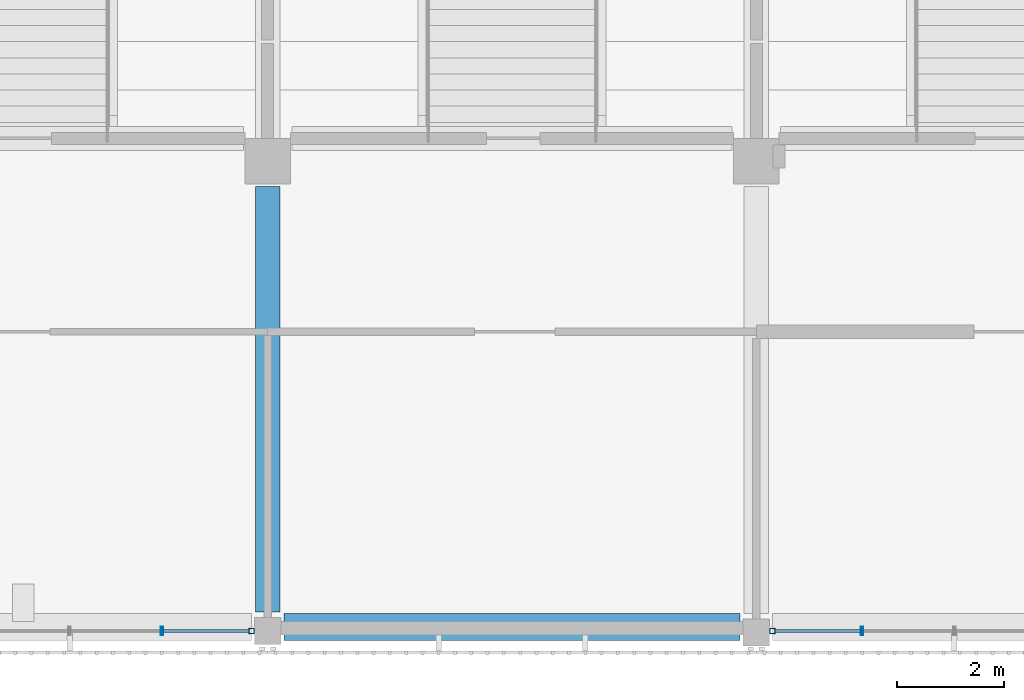
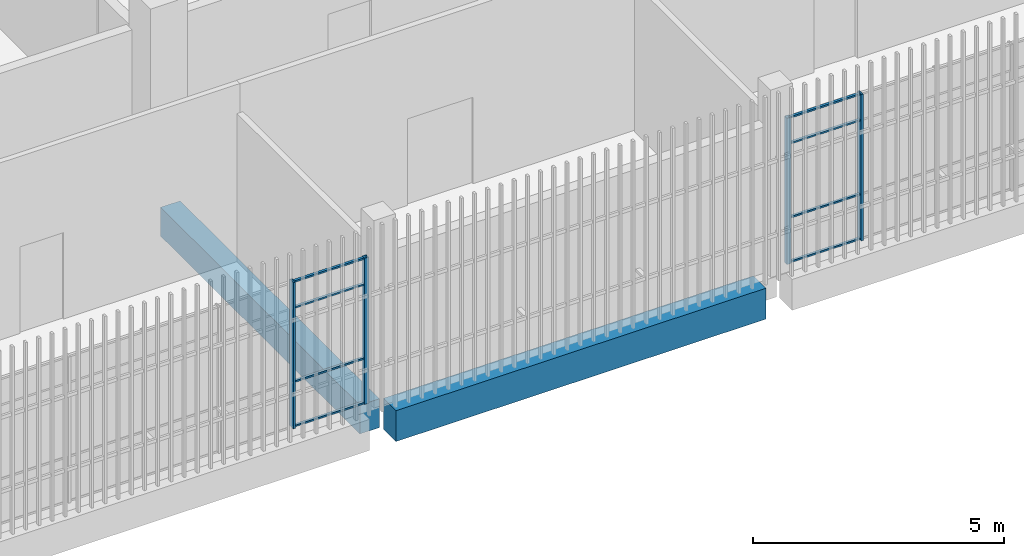
# One storey, part 25 of 139: 12 members, 2 beams, 2 elements without a shape of their own.
"""IFC4 building model written with IfcOpenShell, lengths in metres."""

from ifc_helpers import new_model, si_unit, direction, frame, origin, origin_2d, place, context, subcontext, project, spatial, rectangle, hollow_rectangle, extrude, material, layer, layer_set, material_profile, profile_set, type_object, element, aggregate, save


model = new_model("IFC4")

# Units and contexts
model_context = context("Model", 3, precision=1e-05, world=origin(), true_north=direction((0.0, 1.0)))
body_context = subcontext(model_context, "Body", "Model", "MODEL_VIEW")
ifc_project = project(units=[si_unit("LENGTHUNIT", "METRE"), si_unit("AREAUNIT", "SQUARE_METRE"), si_unit("VOLUMEUNIT", "CUBIC_METRE"), si_unit("PLANEANGLEUNIT", "RADIAN"), si_unit("MASSUNIT", "GRAM", prefix="KILO")], contexts=[model_context])

# Site, building, storey
site_placement = place(None, origin())
site = spatial("IfcSite", under=ifc_project, at=site_placement, CompositionType="ELEMENT")
building_placement = place(site_placement, origin())
building = spatial("IfcBuilding", under=site, at=building_placement, Name="Shirokan Park Arena", CompositionType="ELEMENT")
storey_placement = place(building_placement, frame((0.0, 0.0, 15.469970703125)))
storey = spatial("IfcBuildingStorey", under=building, at=storey_placement, Name="L03", CompositionType="ELEMENT", Elevation=15.469970703125)

# Curtain wall, member
ifc_material_1 = material(Name="Steel and glass curtain wall", Category="steel")
ifc_layer = layer(ifc_material_1, 0.14990234375)
ifc_layer_set = layer_set([ifc_layer], Name="Steel and glass curtain wall 150 mm")
curtain_wall_type = type_object("IfcCurtainWallType", Name="Curtain wall exposed bay 150", PredefinedType="NOTDEFINED", material=ifc_layer_set)
curtain_wall_1_placement = place(storey_placement, origin())
curtain_wall_1 = element("IfcCurtainWall", 1, at=curtain_wall_1_placement, inside=storey, type_object=curtain_wall_type, Name="Curtain wall south bay 9 L03", PredefinedType="NOTDEFINED")
ifc_material_2 = material(Name="Steel S355", Category="steel")
ifc_material_profile_1 = material_profile(ifc_material_2, hollow_rectangle(XDim=0.10009765625, YDim=0.10009765625, WallThickness=0.006103515625, at=origin_2d()), Name="RHS 100x100x6")
ifc_profile_set_1 = profile_set([ifc_material_profile_1], Name="Steel S355")
member_type_1 = type_object("IfcMemberType", Name="Mullion RHS 100x100x6", PredefinedType="MULLION", material=ifc_profile_set_1)
member_1_placement = place(storey_placement, frame((81.60009765625, -0.074951171875, 0.0), z_axis=(0.0, 0.0, 1.0), x_axis=(0.0, 1.0, 0.0)))
member_1 = element("IfcMember", 2, at=member_1_placement, type_object=member_type_1, Name="CW1 mullion 6", PredefinedType="MULLION", context=body_context, shape_type="SweptSolid", body=[
    extrude(hollow_rectangle(XDim=0.10009765625, YDim=0.10009765625, WallThickness=0.006103515625, at=origin_2d()), origin(), (0.0, 0.0, 1.0), 3.550048828125),
])

curtain_wall_2_placement = place(storey_placement, origin())
curtain_wall_2 = element("IfcCurtainWall", 3, at=curtain_wall_2_placement, inside=storey, type_object=curtain_wall_type, Name="Curtain wall south bay 11 L03", PredefinedType="NOTDEFINED")
member_2_placement = place(storey_placement, frame((91.300048828125, -0.074951171875, 0.0), z_axis=(0.0, 0.0, 1.0), x_axis=(0.0, 1.0, 0.0)))
member_2 = element("IfcMember", 4, at=member_2_placement, type_object=member_type_1, Name="CW1 mullion 1", PredefinedType="MULLION", context=body_context, shape_type="SweptSolid", body=[
    extrude(hollow_rectangle(XDim=0.10009765625, YDim=0.10009765625, WallThickness=0.006103515625, at=origin_2d()), origin(), (0.0, 0.0, 1.0), 3.550048828125),
])

# Member
ifc_material_profile_2 = material_profile(ifc_material_2, hollow_rectangle(XDim=0.14990234375, YDim=0.050048828125, WallThickness=0.006103515625, at=origin_2d()), Name="RHS 150x50x6")
ifc_profile_set_2 = profile_set([ifc_material_profile_2], Name="Steel S355")
member_type_2 = type_object("IfcMemberType", Name="Mullion RHS 150x50x6", PredefinedType="MULLION", material=ifc_profile_set_2)
member_3_placement = place(storey_placement, frame((79.929931640625, -0.074951171875, 0.0), z_axis=(0.0, 0.0, 1.0), x_axis=(0.0, 1.0, 0.0)))
member_3 = element("IfcMember", 5, at=member_3_placement, type_object=member_type_2, Name="CW1 mullion 5", PredefinedType="MULLION", context=body_context, shape_type="SweptSolid", body=[
    extrude(hollow_rectangle(XDim=0.14990234375, YDim=0.050048828125, WallThickness=0.006103515625, at=origin_2d()), origin(), (0.0, 0.0, 1.0), 3.550048828125),
])

member_4_placement = place(storey_placement, frame((92.969970703125, -0.074951171875, 0.0), z_axis=(0.0, 0.0, 1.0), x_axis=(0.0, 1.0, 0.0)))
member_4 = element("IfcMember", 6, at=member_4_placement, type_object=member_type_2, Name="CW1 mullion 2", PredefinedType="MULLION", context=body_context, shape_type="SweptSolid", body=[
    extrude(hollow_rectangle(XDim=0.14990234375, YDim=0.050048828125, WallThickness=0.006103515625, at=origin_2d()), origin(), (0.0, 0.0, 1.0), 3.550048828125),
])

# Beams
ifc_material_3 = material(Name="Concrete C35", Category="concrete")
ifc_material_profile_3 = material_profile(ifc_material_3, rectangle(XDim=0.449951171875, YDim=0.699951171875, at=origin_2d()), Name="450x700")
ifc_profile_set_3 = profile_set([ifc_material_profile_3], Name="Concrete C35")
beam_type_1 = type_object("IfcBeamType", Name="RC girder 450x700", PredefinedType="BEAM", material=ifc_profile_set_3)
beam_1_placement = place(storey_placement, frame((81.89990234375, 0.275146484375, -0.64990234375), z_axis=(0.0, 1.0, 0.0), x_axis=(-1.0, 0.0, 0.0)))
element("IfcBeam", 7, at=beam_1_placement, inside=storey, type_object=beam_type_1, Name="Girder 10A-10B L03", PredefinedType="BEAM", context=body_context, shape_type="SweptSolid", body=[
    extrude(rectangle(XDim=0.449951171875, YDim=0.699951171875, at=origin_2d()), origin(), (0.0, 0.0, 1.0), 7.9248046875),
])
ifc_material_profile_4 = material_profile(ifc_material_3, rectangle(XDim=0.5, YDim=0.75, at=origin_2d()), Name="500x750")
ifc_profile_set_4 = profile_set([ifc_material_profile_4], Name="Concrete C35")
beam_type_2 = type_object("IfcBeamType", Name="RC girder 500x750", PredefinedType="BEAM", material=ifc_profile_set_4)
beam_2_placement = place(storey_placement, frame((82.2001953125, 0.0, -0.675048828125), z_axis=(1.0, 0.0, 0.0), x_axis=(0.0, 1.0, 0.0)))
element("IfcBeam", 8, at=beam_2_placement, inside=storey, type_object=beam_type_2, Name="Girder 10A-11A L03", PredefinedType="BEAM", context=body_context, shape_type="SweptSolid", body=[
    extrude(rectangle(XDim=0.5, YDim=0.75, at=origin_2d()), origin(), (0.0, 0.0, 1.0), 8.499755859375),
])

# Member
ifc_material_profile_5 = material_profile(ifc_material_2, hollow_rectangle(XDim=0.06005859375, YDim=0.0400390625, WallThickness=0.00390625, at=origin_2d()), Name="RHS 60x40x4")
ifc_profile_set_5 = profile_set([ifc_material_profile_5], Name="Steel S355")
member_type_3 = type_object("IfcMemberType", Name="Transom RHS 60x40x4", PredefinedType="MULLION", material=ifc_profile_set_5)
member_5_placement = place(storey_placement, frame((79.955078125, -0.074951171875, 0.02001953125), z_axis=(1.0, 0.0, 0.0), x_axis=(0.0, 1.0, 0.0)))
member_5 = element("IfcMember", 9, at=member_5_placement, type_object=member_type_3, Name="CW1 transom 5.1", PredefinedType="MULLION", context=body_context, shape_type="SweptSolid", body=[
    extrude(hollow_rectangle(XDim=0.06005859375, YDim=0.0400390625, WallThickness=0.00390625, at=origin_2d()), origin(), (0.0, 0.0, 1.0), 1.594970703125),
])

member_6_placement = place(storey_placement, frame((79.955078125, -0.074951171875, 1.10009765625), z_axis=(1.0, 0.0, 0.0), x_axis=(0.0, 1.0, 0.0)))
member_6 = element("IfcMember", 10, at=member_6_placement, type_object=member_type_3, Name="CW1 transom 5.2", PredefinedType="MULLION", context=body_context, shape_type="SweptSolid", body=[
    extrude(hollow_rectangle(XDim=0.06005859375, YDim=0.0400390625, WallThickness=0.00390625, at=origin_2d()), origin(), (0.0, 0.0, 1.0), 1.594970703125),
])

member_7_placement = place(storey_placement, frame((79.955078125, -0.074951171875, 2.900146484375), z_axis=(1.0, 0.0, 0.0), x_axis=(0.0, 1.0, 0.0)))
member_7 = element("IfcMember", 11, at=member_7_placement, type_object=member_type_3, Name="CW1 transom 5.3", PredefinedType="MULLION", context=body_context, shape_type="SweptSolid", body=[
    extrude(hollow_rectangle(XDim=0.06005859375, YDim=0.0400390625, WallThickness=0.00390625, at=origin_2d()), origin(), (0.0, 0.0, 1.0), 1.594970703125),
])

member_8_placement = place(storey_placement, frame((79.955078125, -0.074951171875, 3.530029296875), z_axis=(1.0, 0.0, 0.0), x_axis=(0.0, 1.0, 0.0)))
member_8 = element("IfcMember", 12, at=member_8_placement, type_object=member_type_3, Name="CW1 transom 5.4", PredefinedType="MULLION", context=body_context, shape_type="SweptSolid", body=[
    extrude(hollow_rectangle(XDim=0.06005859375, YDim=0.0400390625, WallThickness=0.00390625, at=origin_2d()), origin(), (0.0, 0.0, 1.0), 1.594970703125),
])

aggregate(curtain_wall_1, [member_3, member_1, member_5, member_6, member_7, member_8])

member_9_placement = place(storey_placement, frame((91.35009765625, -0.074951171875, 0.02001953125), z_axis=(1.0, 0.0, 0.0), x_axis=(0.0, 1.0, 0.0)))
member_9 = element("IfcMember", 13, at=member_9_placement, type_object=member_type_3, Name="CW1 transom 1.1", PredefinedType="MULLION", context=body_context, shape_type="SweptSolid", body=[
    extrude(hollow_rectangle(XDim=0.06005859375, YDim=0.0400390625, WallThickness=0.00390625, at=origin_2d()), origin(), (0.0, 0.0, 1.0), 1.594970703125),
])

member_10_placement = place(storey_placement, frame((91.35009765625, -0.074951171875, 1.10009765625), z_axis=(1.0, 0.0, 0.0), x_axis=(0.0, 1.0, 0.0)))
member_10 = element("IfcMember", 14, at=member_10_placement, type_object=member_type_3, Name="CW1 transom 1.2", PredefinedType="MULLION", context=body_context, shape_type="SweptSolid", body=[
    extrude(hollow_rectangle(XDim=0.06005859375, YDim=0.0400390625, WallThickness=0.00390625, at=origin_2d()), origin(), (0.0, 0.0, 1.0), 1.594970703125),
])

member_11_placement = place(storey_placement, frame((91.35009765625, -0.074951171875, 2.900146484375), z_axis=(1.0, 0.0, 0.0), x_axis=(0.0, 1.0, 0.0)))
member_11 = element("IfcMember", 15, at=member_11_placement, type_object=member_type_3, Name="CW1 transom 1.3", PredefinedType="MULLION", context=body_context, shape_type="SweptSolid", body=[
    extrude(hollow_rectangle(XDim=0.06005859375, YDim=0.0400390625, WallThickness=0.00390625, at=origin_2d()), origin(), (0.0, 0.0, 1.0), 1.594970703125),
])

member_12_placement = place(storey_placement, frame((91.35009765625, -0.074951171875, 3.530029296875), z_axis=(1.0, 0.0, 0.0), x_axis=(0.0, 1.0, 0.0)))
member_12 = element("IfcMember", 16, at=member_12_placement, type_object=member_type_3, Name="CW1 transom 1.4", PredefinedType="MULLION", context=body_context, shape_type="SweptSolid", body=[
    extrude(hollow_rectangle(XDim=0.06005859375, YDim=0.0400390625, WallThickness=0.00390625, at=origin_2d()), origin(), (0.0, 0.0, 1.0), 1.594970703125),
])

aggregate(curtain_wall_2, [member_2, member_4, member_9, member_10, member_11, member_12])

save(model, "model.ifc")
